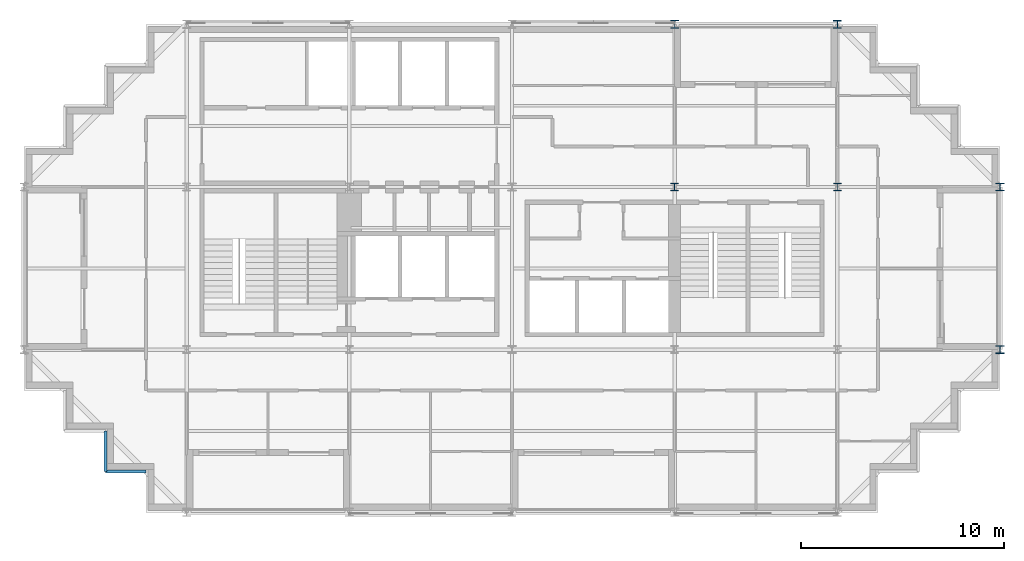
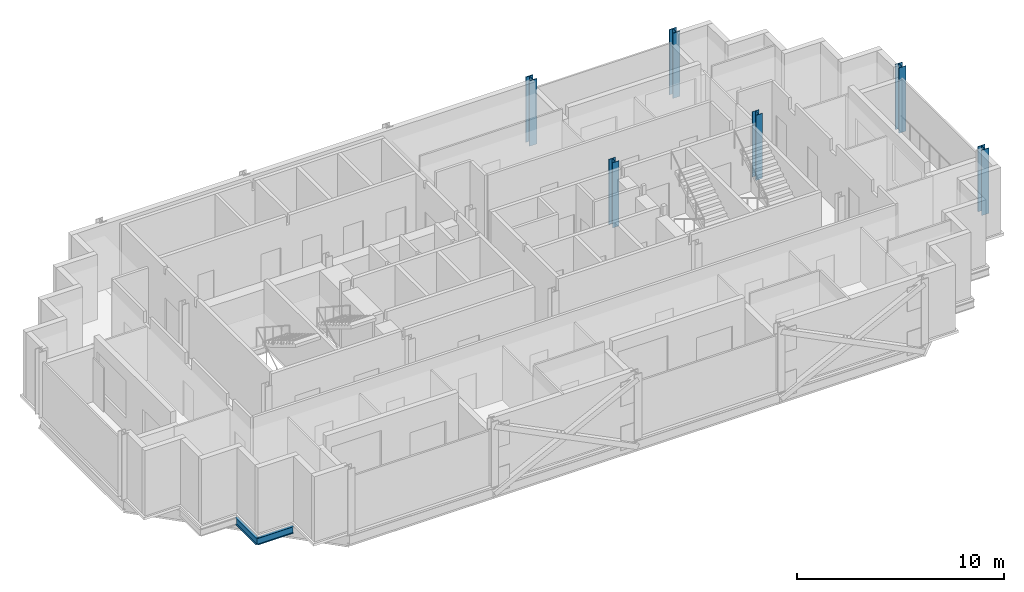
# One storey, part 2 of 9: 6 columns, 2 beams.
"""IFC4 building model written with IfcOpenShell, lengths in metres."""

from ifc_helpers import new_model, si_unit, direction, frame, origin, origin_2d, place, context, subcontext, project, spatial, i_section, extrude, material, material_profile, profile_set, type_object, element, save


model = new_model("IFC4")

# Units and contexts
model_context = context("Model", 3, precision=1e-05, world=origin(), true_north=direction((0.0, 1.0)))
body_context = subcontext(model_context, "Body", "Model", "MODEL_VIEW")
ifc_project = project(units=[si_unit("LENGTHUNIT", "METRE"), si_unit("AREAUNIT", "SQUARE_METRE"), si_unit("VOLUMEUNIT", "CUBIC_METRE"), si_unit("PLANEANGLEUNIT", "RADIAN"), si_unit("MASSUNIT", "GRAM", prefix="KILO")], contexts=[model_context])

# Site, building, storey
site_placement = place(None, origin())
site = spatial("IfcSite", under=ifc_project, at=site_placement, CompositionType="ELEMENT")
building_placement = place(site_placement, origin())
building = spatial("IfcBuilding", under=site, at=building_placement, Name="Immortelle Media Tower", CompositionType="ELEMENT")
storey_placement = place(building_placement, frame((0.0, 0.0, 225.0)))
storey = spatial("IfcBuildingStorey", under=building, at=storey_placement, Name="L48", CompositionType="ELEMENT", Elevation=225.0)

# Columns
ifc_material = material(Name="Steel ASTM A992 Gr 50", Category="steel")
ifc_material_profile_1 = material_profile(ifc_material, i_section(OverallWidth=0.373046875, OverallDepth=0.367919921875, WebThickness=0.014892578125, FlangeThickness=0.02392578125, at=origin_2d()), Name="W14x120")
ifc_profile_set_1 = profile_set([ifc_material_profile_1], Name="Steel ASTM A992 Gr 50")
column_type_1 = type_object("IfcColumnType", Name="W14x120 column", PredefinedType="COLUMN", material=ifc_profile_set_1)
for number, where, z_axis, x_axis, name in (
    (1, (32.0, 16.0, 0.0), (0.0, 0.0, 1.0), (1.0, 0.0, 0.0), "Column 5/C"),
    (2, (40.0, 16.0, 0.0), (0.0, 0.0, 1.0), (1.0, 0.0, 0.0), "Column 6/C"),
):
    element("IfcColumn", number, at=place(storey_placement, frame(where, z_axis=z_axis, x_axis=x_axis)), inside=storey, type_object=column_type_1, Name=name, PredefinedType="COLUMN", context=body_context, shape_type="SweptSolid", body=[
        extrude(i_section(OverallWidth=0.373046875, OverallDepth=0.367919921875, WebThickness=0.014892578125, FlangeThickness=0.02392578125, at=origin_2d()), origin(), (0.0, 0.0, 1.0), 3.85009765625),
    ])
ifc_material_profile_2 = material_profile(ifc_material, i_section(OverallWidth=0.39892578125, OverallDepth=0.385986328125, WebThickness=0.02099609375, FlangeThickness=0.032958984375, at=origin_2d()), Name="W14x176")
ifc_profile_set_2 = profile_set([ifc_material_profile_2], Name="Steel ASTM A992 Gr 50")
column_type_2 = type_object("IfcColumnType", Name="W14x176 column", PredefinedType="COLUMN", material=ifc_profile_set_2)
for number, where, z_axis, x_axis, name in (
    (3, (40.0, 24.0, 0.0), (0.0, 0.0, 1.0), (1.0, 0.0, 0.0), "Column 6/D"),
    (4, (48.0, 8.0, 0.0), (0.0, 0.0, 1.0), (1.0, 0.0, 0.0), "Column 7/B"),
    (5, (48.0, 16.0, 0.0), (0.0, 0.0, 1.0), (1.0, 0.0, 0.0), "Column 7/C"),
):
    element("IfcColumn", number, at=place(storey_placement, frame(where, z_axis=z_axis, x_axis=x_axis)), inside=storey, type_object=column_type_2, Name=name, PredefinedType="COLUMN", context=body_context, shape_type="SweptSolid", body=[
        extrude(i_section(OverallWidth=0.39892578125, OverallDepth=0.385986328125, WebThickness=0.02099609375, FlangeThickness=0.032958984375, at=origin_2d()), origin(), (0.0, 0.0, 1.0), 3.85009765625),
    ])
ifc_material_profile_3 = material_profile(ifc_material, i_section(OverallWidth=0.406005859375, OverallDepth=0.4169921875, WebThickness=0.030029296875, FlangeThickness=0.048095703125, at=origin_2d()), Name="W14x257")
ifc_profile_set_3 = profile_set([ifc_material_profile_3], Name="Steel ASTM A992 Gr 50")
column_type_3 = type_object("IfcColumnType", Name="W14x257 column", PredefinedType="COLUMN", material=ifc_profile_set_3)
column_placement = place(storey_placement, frame((32.0, 24.0, 0.0), z_axis=(0.0, 0.0, 1.0), x_axis=(1.0, 0.0, 0.0)))
element("IfcColumn", 6, at=column_placement, inside=storey, type_object=column_type_3, Name="Column 5/D", PredefinedType="COLUMN", context=body_context, shape_type="SweptSolid", body=[
    extrude(i_section(OverallWidth=0.406005859375, OverallDepth=0.4169921875, WebThickness=0.030029296875, FlangeThickness=0.048095703125, at=origin_2d()), origin(), (0.0, 0.0, 1.0), 3.85009765625),
])

# Beams
ifc_material_profile_4 = material_profile(ifc_material, i_section(OverallWidth=0.139892578125, OverallDepth=0.404052734375, WebThickness=0.007080078125, FlangeThickness=0.010986328125, at=origin_2d()), Name="W16x31")
ifc_profile_set_4 = profile_set([ifc_material_profile_4], Name="Steel ASTM A992 Gr 50")
beam_type = type_object("IfcBeamType", Name="W16x31 serration edge beam", PredefinedType="SPANDREL", material=ifc_profile_set_4)
for number, where, z_axis, x_axis, name in (
    (7, (6.0, 2.0, -0.35205078125), (-1.0, 0.0, 0.0), (0.0, -1.0, 0.0), "Corner edge beam 1 at 1/A"),
    (8, (4.0, 2.0, -0.35205078125), (0.0, 1.0, 0.0), (-1.0, 0.0, 0.0), "Corner edge beam 2 at 1/A"),
):
    element("IfcBeam", number, at=place(storey_placement, frame(where, z_axis=z_axis, x_axis=x_axis)), inside=storey, type_object=beam_type, Name=name, PredefinedType="SPANDREL", context=body_context, shape_type="SweptSolid", body=[
        extrude(i_section(OverallWidth=0.139892578125, OverallDepth=0.404052734375, WebThickness=0.007080078125, FlangeThickness=0.010986328125, at=origin_2d()), origin(), (0.0, 0.0, 1.0), 2.0),
    ])

save(model, "model.ifc")
